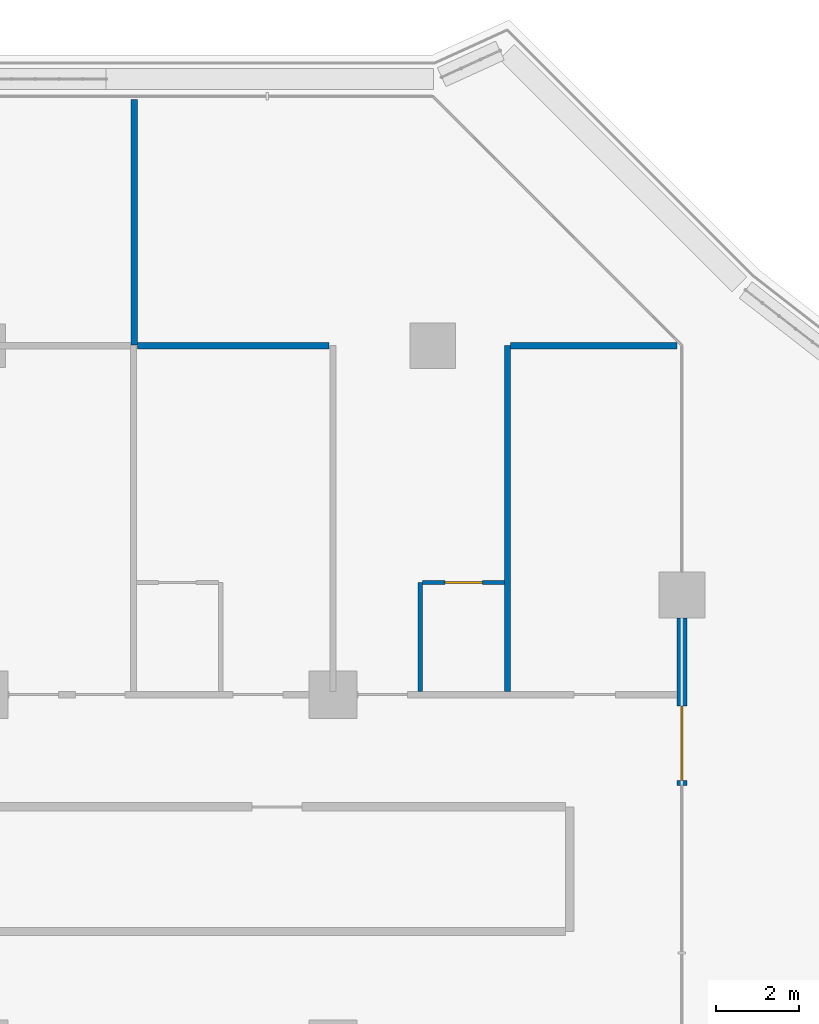
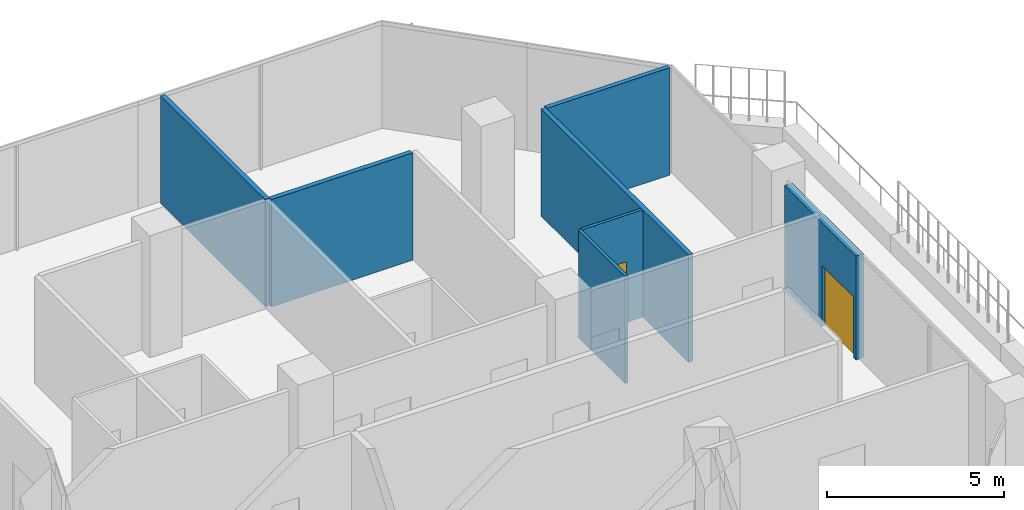
# One storey, part 16 of 23: 7 walls, 2 doors, 2 openings.
"""IFC4 building model written with IfcOpenShell, lengths in metres."""

from ifc_helpers import new_model, si_unit, direction, frame, frame_2d, origin, place, context, subcontext, project, spatial, rectangle, extrude, material, layer, layer_set, type_object, element, fill, save


model = new_model("IFC4")

# Units and contexts
model_context = context("Model", 3, precision=1e-05, world=origin(), true_north=direction((0.0, 1.0)))
body_context = subcontext(model_context, "Body", "Model", "MODEL_VIEW")
ifc_project = project(units=[si_unit("LENGTHUNIT", "METRE"), si_unit("AREAUNIT", "SQUARE_METRE"), si_unit("VOLUMEUNIT", "CUBIC_METRE"), si_unit("PLANEANGLEUNIT", "RADIAN"), si_unit("MASSUNIT", "GRAM", prefix="KILO")], contexts=[model_context])

# Site, building, storey
site_placement = place(None, origin())
site = spatial("IfcSite", under=ifc_project, at=site_placement, CompositionType="ELEMENT")
building_placement = place(site_placement, origin())
building = spatial("IfcBuilding", under=site, at=building_placement, Name="Kawkab Arch Medical Tower", CompositionType="ELEMENT")
storey_placement = place(building_placement, frame((0.0, 0.0, 149.199951171875)))
storey = spatial("IfcBuildingStorey", under=building, at=storey_placement, Name="L34", CompositionType="ELEMENT", Elevation=149.199951171875)

# Wall, opening, door
ifc_material_1 = material(Name="Bronze clad insulated wall panel")
ifc_layer_1 = layer(ifc_material_1, 0.25)
ifc_layer_set_1 = layer_set([ifc_layer_1], Name="Bronze clad insulated wall panel")
wall_type_1 = type_object("IfcWallType", Name="External wall bay 250", PredefinedType="SOLIDWALL", material=ifc_layer_set_1)
wall_1_placement = place(storey_placement, frame((75.60009765625, -10.583251953125, 0.0), z_axis=(0.0, 0.0, 1.0), x_axis=(0.0, 1.0, 0.0)))
wall_1 = element("IfcWall", 1, at=wall_1_placement, inside=storey, type_object=wall_type_1, Name="External wall bay L34.R09.1.3", PredefinedType="SOLIDWALL", context=body_context, shape_type="SweptSolid", body=[
    extrude(rectangle(XDim=4.033203125, YDim=0.25, at=frame_2d((2.0166015625, 0.0))), origin(), (0.0, 0.0, 1.0), 3.580078125),
])
opening_1_placement = place(wall_1_placement, frame((0.11669921875, 0.0, 0.0)))
opening_1 = element("IfcOpeningElement", 2, at=opening_1_placement, cuts=wall_1, Name="Opening W29-701", PredefinedType="OPENING", context=body_context, shape_type="SweptSolid", body=[
    extrude(rectangle(XDim=1.800048828125, YDim=2.10009765625, at=frame_2d((0.89990234375, 1.050048828125))), frame((0.0, 0.135009765625, 0.0), z_axis=(0.0, -1.0, 0.0), x_axis=(1.0, 0.0, 0.0)), (0.0, 0.0, 1.0), 0.27001953125),
])
ifc_material_2 = material(Name="Bronze anodised aluminium door with tinted glass", Category="aluminium")
door_type_1 = type_object("IfcDoorType", Name="Double external door 1800 x 2100", OperationType="DOUBLE_DOOR_SINGLE_SWING", PredefinedType="DOOR", material=ifc_material_2)
door_1_placement = place(opening_1_placement, origin())
door_1 = element("IfcDoor", 3, at=door_1_placement, inside=storey, type_object=door_type_1, Name="External door L34.R09.1.3", OperationType="DOUBLE_DOOR_SINGLE_SWING", OverallHeight=2.10009765625, OverallWidth=1.800048828125, PredefinedType="DOOR", context=body_context, shape_type="SweptSolid", body=[
    extrude(rectangle(XDim=1.800048828125, YDim=2.10009765625, at=frame_2d((0.89990234375, 1.050048828125))), frame((0.0, 0.02490234375, 0.0), z_axis=(0.0, -1.0, 0.0), x_axis=(1.0, 0.0, 0.0)), (0.0, 0.0, 1.0), 0.050048828125),
])
fill(opening_1, door_1)

ifc_material_3 = material(Name="Gypsum board partition on steel studs", Category="steel")
ifc_layer_2 = layer(ifc_material_3, 0.10009765625)
ifc_layer_set_2 = layer_set([ifc_layer_2], Name="Gypsum board partition on steel studs")
wall_type_2 = type_object("IfcWallType", Name="Partition 100", PredefinedType="PARTITIONING", material=ifc_layer_set_2)
wall_2_placement = place(storey_placement, frame((69.35205078125, -5.699951171875, 0.0), z_axis=(0.0, 0.0, 1.0), x_axis=(1.0, 0.0, 0.0)))
wall_2 = element("IfcWall", 4, at=wall_2_placement, inside=storey, type_object=wall_type_2, Name="Partition 100 w010", PredefinedType="PARTITIONING", context=body_context, shape_type="SweptSolid", body=[
    extrude(rectangle(XDim=1.972900390625, YDim=0.10009765625, at=frame_2d((0.986328125, 0.0))), origin(), (0.0, 0.0, 1.0), 3.699951171875),
])
opening_2_placement = place(wall_2_placement, frame((0.549072265625, 0.0, 0.0)))
opening_2 = element("IfcOpeningElement", 5, at=opening_2_placement, cuts=wall_2, Name="Opening W29-013", PredefinedType="OPENING", context=body_context, shape_type="SweptSolid", body=[
    extrude(rectangle(XDim=0.89990234375, YDim=2.10009765625, at=frame_2d((0.449951171875, 1.050048828125))), frame((0.0, 0.06005859375, 0.0), z_axis=(0.0, -1.0, 0.0), x_axis=(1.0, 0.0, 0.0)), (0.0, 0.0, 1.0), 0.1201171875),
])
ifc_material_4 = material(Name="Timber door leaf", Category="wood")
door_type_2 = type_object("IfcDoorType", Name="Single door 900x2100", OperationType="NOTDEFINED", PredefinedType="DOOR", material=ifc_material_4)
door_2_placement = place(opening_2_placement, origin())
door_2 = element("IfcDoor", 6, at=door_2_placement, inside=storey, type_object=door_type_2, Name="Door W29-013", OperationType="SINGLE_SWING_RIGHT", OverallHeight=2.10009765625, OverallWidth=0.89990234375, PredefinedType="DOOR", context=body_context, shape_type="SweptSolid", body=[
    extrude(rectangle(XDim=0.89990234375, YDim=2.10009765625, at=frame_2d((0.449951171875, 1.050048828125))), frame((0.0, 0.02490234375, 0.0), z_axis=(0.0, -1.0, 0.0), x_axis=(1.0, 0.0, 0.0)), (0.0, 0.0, 1.0), 0.050048828125),
])
fill(opening_2, door_2)

# Walls
wall_3_placement = place(storey_placement, frame((69.300048828125, -8.324951171875, 0.0), z_axis=(0.0, 0.0, 1.0), x_axis=(0.0, 1.0, 0.0)))
element("IfcWall", 7, at=wall_3_placement, inside=storey, type_object=wall_type_2, Name="Partition 100 w021", PredefinedType="PARTITIONING", context=body_context, shape_type="SweptSolid", body=[
    extrude(rectangle(XDim=2.6240234375, YDim=0.10009765625, at=frame_2d((1.31201171875, 0.0))), origin(), (0.0, 0.0, 1.0), 3.699951171875),
])
ifc_material_5 = material(Name="Gypsum board partition on steel studs, mineral wool", Category="steel")
ifc_layer_3 = layer(ifc_material_5, 0.14990234375)
ifc_layer_set_3 = layer_set([ifc_layer_3], Name="Gypsum board partition on steel studs, mineral wool")
wall_type_3 = type_object("IfcWallType", Name="Partition 150", PredefinedType="PARTITIONING", material=ifc_layer_set_3)
wall_4_placement = place(storey_placement, frame((62.4951171875, 0.0, 0.0), z_axis=(0.0, 0.0, 1.0), x_axis=(1.0, 0.0, 0.0)))
element("IfcWall", 8, at=wall_4_placement, inside=storey, type_object=wall_type_3, Name="Partition 150 w049", PredefinedType="PARTITIONING", context=body_context, shape_type="SweptSolid", body=[
    extrude(rectangle(XDim=4.60986328125, YDim=0.14990234375, at=frame_2d((2.304931640625, 0.0))), origin(), (0.0, 0.0, 1.0), 3.699951171875),
])
wall_5_placement = place(storey_placement, frame((71.47900390625, 0.0, 0.0), z_axis=(0.0, 0.0, 1.0), x_axis=(1.0, 0.0, 0.0)))
element("IfcWall", 9, at=wall_5_placement, inside=storey, type_object=wall_type_3, Name="Partition 150 w050", PredefinedType="PARTITIONING", context=body_context, shape_type="SweptSolid", body=[
    extrude(rectangle(XDim=4.008056640625, YDim=0.14990234375, at=frame_2d((2.00390625, 0.0))), origin(), (0.0, 0.0, 1.0), 3.699951171875),
])
wall_6_placement = place(storey_placement, frame((62.419921875, 0.02001953125, 0.0), z_axis=(0.0, 0.0, 1.0), x_axis=(0.0, 1.0, 0.0)))
element("IfcWall", 10, at=wall_6_placement, inside=storey, type_object=wall_type_3, Name="Partition 150 w077", PredefinedType="PARTITIONING", context=body_context, shape_type="SweptSolid", body=[
    extrude(rectangle(XDim=5.89990234375, YDim=0.14990234375, at=frame_2d((2.949951171875, 0.0))), origin(), (0.0, 0.0, 1.0), 3.699951171875),
])
wall_7_placement = place(storey_placement, frame((71.39990234375, -8.324951171875, 0.0), z_axis=(0.0, 0.0, 1.0), x_axis=(0.0, 1.0, 0.0)))
element("IfcWall", 11, at=wall_7_placement, inside=storey, type_object=wall_type_3, Name="Partition 150 w081", PredefinedType="PARTITIONING", context=body_context, shape_type="SweptSolid", body=[
    extrude(rectangle(XDim=8.322998046875, YDim=0.14990234375, at=frame_2d((4.16162109375, 0.0))), origin(), (0.0, 0.0, 1.0), 3.699951171875),
])

save(model, "model.ifc")
